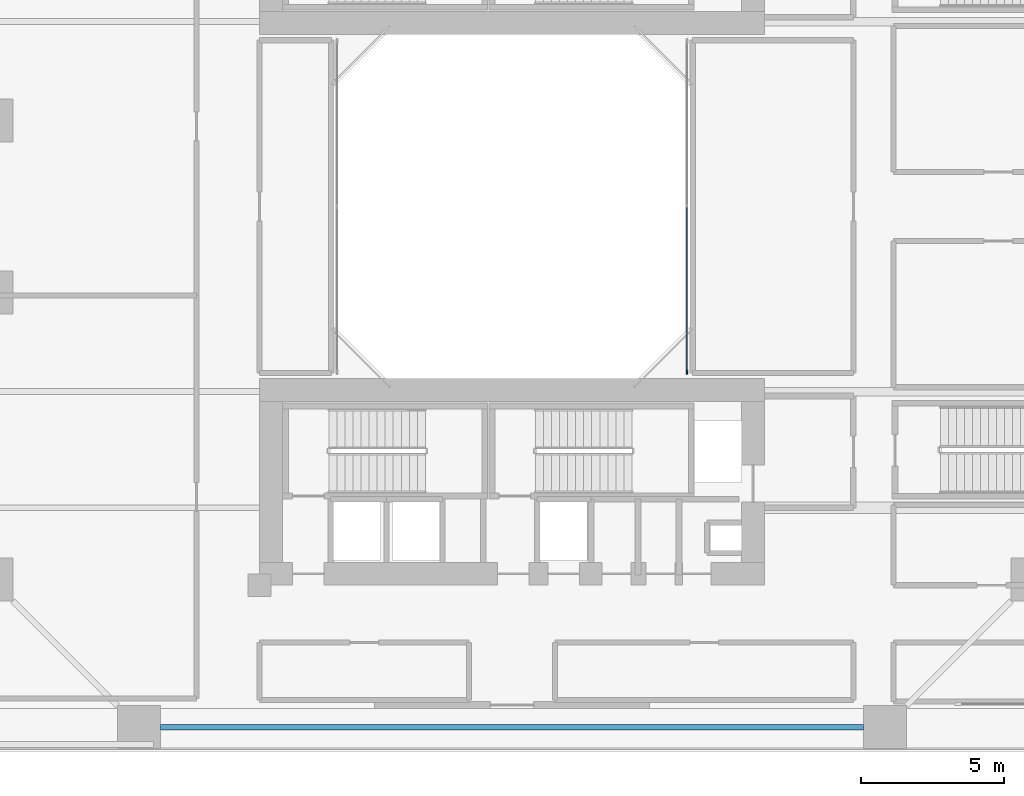
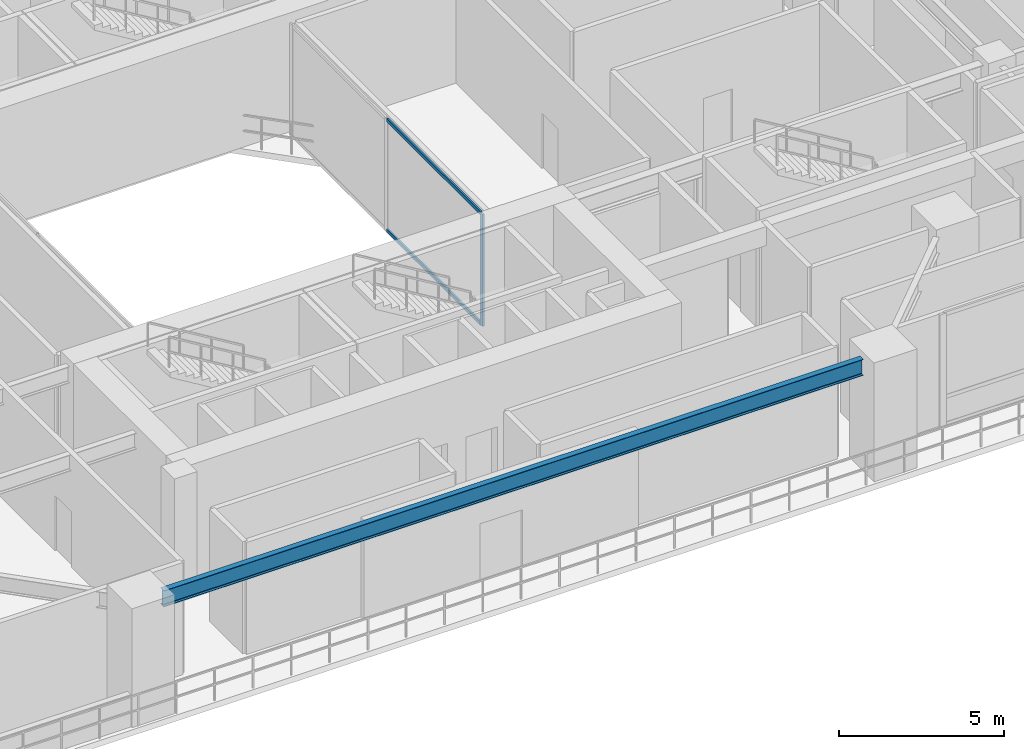
# One storey, part 3 of 20: 3 members, 1 beam, 1 element without a shape of its own.
"""IFC4 building model written with IfcOpenShell, lengths in metres."""

import ifcopenshell
import ifcopenshell.guid

model = None  # the IFC model being written
_history = None  # IfcOwnerHistory: only IFC2X3 demands one
_inside = {}  # id of a spatial element -> (the spatial element, [elements in it])
_under = {}  # id of a project, library or spatial element -> (it, [spatial elements below it])
_declared = {}  # id of a project -> (the project, [libraries it declares])
_typed = {}  # id of a type object -> (the type object, [elements of that type])
_made_of = {}  # id of a material, layer set ... -> (it, [elements and type objects made of it])


def new_model(schema):
    """Start an empty IFC model of exactly this schema.

    Asked for "IFC4X3", IfcOpenShell would pick the latest addendum, in which some entities
    have other attributes; the version numbers below select the first issue.
    IFC2X3 requires an IfcOwnerHistory on every rooted entity: one is made here for all.
    """
    global model, _history
    if schema == "IFC4X3":
        model = ifcopenshell.file(schema_version=(4, 3, 0, 0))
    else:
        model = ifcopenshell.file(schema=schema)
    _inside.clear()
    _under.clear()
    _declared.clear()
    _typed.clear()
    _made_of.clear()
    _history = None
    if model.schema == "IFC2X3":
        org = make("IfcOrganization", Name="unknown")
        user = make(
            "IfcPersonAndOrganization",
            ThePerson=make("IfcPerson", FamilyName="unknown"),
            TheOrganization=org,
        )
        app = make(
            "IfcApplication",
            ApplicationDeveloper=org,
            Version="unknown",
            ApplicationFullName="unknown",
            ApplicationIdentifier="unknown",
        )
        _history = make(
            "IfcOwnerHistory",
            OwningUser=user,
            OwningApplication=app,
            ChangeAction="ADDED",
            CreationDate=0,
        )
    return model


def make(cls, **values):
    """One entity of the class cls with the attributes given. An attribute that is None is left unset."""
    return model.create_entity(
        cls, **{name: value for name, value in values.items() if value is not None}
    )


def rooted(cls, **values):
    """An entity with a GlobalId (a new one), such as an element, a storey or a relation."""
    return make(cls, GlobalId=ifcopenshell.guid.new(), OwnerHistory=_history, **values)


def si_unit(unit_type, name, prefix=None):
    """IfcSIUnit, for example si_unit("LENGTHUNIT", "METRE", prefix="MILLI")."""
    return make("IfcSIUnit", UnitType=unit_type, Prefix=prefix, Name=name)


def assignment(units):
    """IfcUnitAssignment: the units of a project."""
    return None if units is None else make("IfcUnitAssignment", Units=units)


def point(xyz):
    """IfcCartesianPoint."""
    return None if xyz is None else make("IfcCartesianPoint", Coordinates=xyz)


def direction(xyz):
    """IfcDirection."""
    return None if xyz is None else make("IfcDirection", DirectionRatios=xyz)


def frame(location, z_axis=None, x_axis=None):
    """IfcAxis2Placement3D, a coordinate frame: its origin and axes. An axis left out is left unset."""
    return make(
        "IfcAxis2Placement3D",
        Location=point(location),
        Axis=direction(z_axis),
        RefDirection=direction(x_axis),
    )


def frame_2d(location, x_axis=None):
    """IfcAxis2Placement2D, a coordinate frame in the plane: its origin and x axis."""
    return make(
        "IfcAxis2Placement2D", Location=point(location), RefDirection=direction(x_axis)
    )


def origin():
    """The frame at (0, 0, 0) with its axes left unset."""
    return frame((0.0, 0.0, 0.0))


def origin_2d():
    """The frame at (0, 0) in the plane with its x axis left unset."""
    return frame_2d((0.0, 0.0))


def place(relative_to, where):
    """IfcLocalPlacement: puts the frame where relative to a parent placement (None: the world)."""
    return make(
        "IfcLocalPlacement", PlacementRelTo=relative_to, RelativePlacement=where
    )


def context(
    kind, dimensions, precision=None, world=None, true_north=None, identifier=None
):
    """IfcGeometricRepresentationContext, for example the 3D "Model" context."""
    return make(
        "IfcGeometricRepresentationContext",
        ContextIdentifier=identifier,
        ContextType=kind,
        CoordinateSpaceDimension=dimensions,
        Precision=precision,
        WorldCoordinateSystem=world,
        TrueNorth=true_north,
    )


def subcontext(parent, identifier, kind, view, scale=None):
    """IfcGeometricRepresentationSubContext, for example "Body" below "Model"."""
    return make(
        "IfcGeometricRepresentationSubContext",
        ContextIdentifier=identifier,
        ContextType=kind,
        ParentContext=parent,
        TargetScale=scale,
        TargetView=view,
    )


def project(units=None, contexts=None):
    """IfcProject with its units and contexts."""
    return rooted(
        "IfcProject",
        Name="project",
        RepresentationContexts=contexts,
        UnitsInContext=assignment(units),
    )


def spatial(cls, under=None, at=None, **own):
    """A site, building, storey or space (cls), placed at a placement, below another one or the project."""
    s = rooted(cls, ObjectPlacement=at, **own)
    if under is not None:
        _under.setdefault(under.id(), (under, []))[1].append(s)
    return s


def profile(cls, at=None, kind="AREA", **sizes):
    """A parametric profile (cls). Its sizes go by their IFC names, for example OverallWidth=200.0."""
    return make(cls, ProfileType=kind, Position=at, **sizes)


def rectangle(**sizes):
    """IfcRectangleProfileDef."""
    return profile("IfcRectangleProfileDef", **sizes)


def i_section(**sizes):
    """IfcIShapeProfileDef."""
    return profile("IfcIShapeProfileDef", **sizes)


def extrude(swept, where, along, depth):
    """IfcExtrudedAreaSolid: the profile swept, set in the frame where, extruded along a direction by depth."""
    return make(
        "IfcExtrudedAreaSolid",
        SweptArea=swept,
        Position=where,
        ExtrudedDirection=direction(along),
        Depth=depth,
    )


def shape(context_of_items, identifier, shape_type, items):
    """IfcShapeRepresentation: the items that make up one representation, for example the "Body"."""
    return make(
        "IfcShapeRepresentation",
        ContextOfItems=context_of_items,
        RepresentationIdentifier=identifier,
        RepresentationType=shape_type,
        Items=items,
    )


def source(mapping_origin, context_of_items, identifier, shape_type, items):
    """IfcRepresentationMap: a shape defined once, which mapped items show again and again."""
    return make(
        "IfcRepresentationMap",
        MappingOrigin=mapping_origin,
        MappedRepresentation=shape(context_of_items, identifier, shape_type, items),
    )


def transform(
    local_origin,
    x_axis=None,
    y_axis=None,
    z_axis=None,
    scale=None,
    scale2=None,
    scale3=None,
    uniform=True,
):
    """IfcCartesianTransformationOperator3D, or its non-uniform kind. x_axis, y_axis, z_axis: its Axis1, 2, 3."""
    if uniform:
        return make(
            "IfcCartesianTransformationOperator3D",
            Axis1=direction(x_axis),
            Axis2=direction(y_axis),
            LocalOrigin=point(local_origin),
            Scale=scale,
            Axis3=direction(z_axis),
        )
    return make(
        "IfcCartesianTransformationOperator3DnonUniform",
        Axis1=direction(x_axis),
        Axis2=direction(y_axis),
        LocalOrigin=point(local_origin),
        Scale=scale,
        Axis3=direction(z_axis),
        Scale2=scale2,
        Scale3=scale3,
    )


def mapped(mapping_source, mapping_target):
    """IfcMappedItem: shows the shape of a source again, moved by a transform."""
    return make(
        "IfcMappedItem", MappingSource=mapping_source, MappingTarget=mapping_target
    )


def material(Name=None, Category=None):
    """IfcMaterial."""
    return make("IfcMaterial", Name=Name, Category=Category)


def layer(
    of_material, thickness, ventilated=None, Name=None, Category=None, Priority=None
):
    """IfcMaterialLayer: one layer of a wall or slab, of a material (None: an air gap)."""
    return make(
        "IfcMaterialLayer",
        Material=of_material,
        LayerThickness=thickness,
        IsVentilated=ventilated,
        Name=Name,
        Category=Category,
        Priority=Priority,
    )


def layer_set(layers, Name=None):
    """IfcMaterialLayerSet."""
    return make("IfcMaterialLayerSet", MaterialLayers=layers, LayerSetName=Name)


def material_profile(
    of_material, cross_section, Name=None, Category=None, Priority=None
):
    """IfcMaterialProfile: a cross section and its material."""
    return make(
        "IfcMaterialProfile",
        Name=Name,
        Material=of_material,
        Profile=cross_section,
        Priority=Priority,
        Category=Category,
    )


def profile_set(profiles, Name=None, composite=None):
    """IfcMaterialProfileSet."""
    return make(
        "IfcMaterialProfileSet",
        Name=Name,
        MaterialProfiles=profiles,
        CompositeProfile=composite,
    )


def made_of(thing, what):
    """Note that an element or type object is made of a material, layer set ...; save() writes the relation."""
    if what is not None:
        _made_of.setdefault(what.id(), (what, []))[1].append(thing)
    return thing


def type_object(cls, material=None, **own):
    """A type object (cls), such as IfcWallType, which elements share."""
    return made_of(rooted(cls, **own), material)


def element(
    cls,
    number,
    at=None,
    inside=None,
    cuts=None,
    type_object=None,
    material=None,
    context=None,
    identifier="Body",
    shape_type=None,
    held_by="IfcProductDefinitionShape",
    body=None,
    shapes=None,
    **own,
):
    """One element of the class cls, such as IfcWall. Its Tag is "e" and its number.

    at: its placement. inside: the storey or other place that contains it. cuts: it is an
    opening in that element (IfcRelVoidsElement). A single representation is given by context,
    identifier, shape_type and body (its items); several are given by shapes. held_by: the class
    of the entity that holds the representations. save() writes the other relations.
    """
    e = rooted(cls, Tag="e%d" % number, ObjectPlacement=at, **own)
    if body is not None:
        shapes = [shape(context, identifier, shape_type, body)]
    if shapes is not None:
        e.Representation = make(held_by, Representations=shapes)
    if inside is not None:
        _inside.setdefault(inside.id(), (inside, []))[1].append(e)
    if cuts is not None:
        rooted(
            "IfcRelVoidsElement", RelatingBuildingElement=cuts, RelatedOpeningElement=e
        )
    if type_object is not None:
        _typed.setdefault(type_object.id(), (type_object, []))[1].append(e)
    return made_of(e, material)


def aggregate(whole, parts):
    """IfcRelAggregates: a whole, such as a stair, and the parts it consists of."""
    return rooted("IfcRelAggregates", RelatingObject=whole, RelatedObjects=parts)


def save(model, path):
    """Write the relations noted so far, then the file.

    IfcRelAggregates (storeys below a building ...), IfcRelContainedInSpatialStructure (elements
    in a storey), IfcRelDefinesByType, IfcRelAssociatesMaterial and IfcRelDeclares: one each for
    every whole, place, type object, material and project.
    """
    for whole, parts in _under.values():
        aggregate(whole, parts)
    for where, things in _inside.values():
        rooted(
            "IfcRelContainedInSpatialStructure",
            RelatedElements=things,
            RelatingStructure=where,
        )
    for kind, things in _typed.values():
        rooted("IfcRelDefinesByType", RelatedObjects=things, RelatingType=kind)
    for what, things in _made_of.values():
        rooted("IfcRelAssociatesMaterial", RelatedObjects=things, RelatingMaterial=what)
    for by, libraries in _declared.values():
        rooted("IfcRelDeclares", RelatingContext=by, RelatedDefinitions=libraries)
    model.write(path)


model = new_model("IFC4")

# Units and contexts
model_context = context("Model", 3, precision=1e-05, world=origin(), true_north=direction((0.0, 1.0)))
body_context = subcontext(model_context, "Body", "Model", "MODEL_VIEW")
ifc_project = project(units=[si_unit("LENGTHUNIT", "METRE"), si_unit("AREAUNIT", "SQUARE_METRE"), si_unit("VOLUMEUNIT", "CUBIC_METRE"), si_unit("PLANEANGLEUNIT", "RADIAN"), si_unit("MASSUNIT", "GRAM", prefix="KILO"), si_unit("THERMODYNAMICTEMPERATUREUNIT", "KELVIN"), si_unit("POWERUNIT", "WATT")], contexts=[model_context])

# Site, building, storey
site_placement = place(None, origin())
site = spatial("IfcSite", under=ifc_project, at=site_placement, CompositionType="ELEMENT")
building_placement = place(site_placement, origin())
building = spatial("IfcBuilding", under=site, at=building_placement, Name="Qiaomeng Ring Towers", CompositionType="ELEMENT")
storey_placement = place(building_placement, frame((0.0, 0.0, 13.800048828125)))
storey = spatial("IfcBuildingStorey", under=building, at=storey_placement, Name="L03", CompositionType="ELEMENT", Elevation=13.800048828125)

# Beam
ifc_material_1 = material(Name="Steel Q355B", Category="steel")
ifc_material_profile_1 = material_profile(ifc_material_1, i_section(OverallWidth=0.199951171875, OverallDepth=0.60009765625, WebThickness=0.010986328125, FlangeThickness=0.01708984375, FilletRadius=0.02197265625, at=origin_2d()), Name="HN 600x200x11x17")
ifc_profile_set_1 = profile_set([ifc_material_profile_1], Name="Steel Q355B")
beam_type = type_object("IfcBeamType", Name="STR-BM-HN600", PredefinedType="BEAM", material=ifc_profile_set_1)
shared_shape_1 = source(origin(), body_context, "Body", "SweptSolid", [
    extrude(i_section(OverallWidth=0.199951171875, OverallDepth=0.60009765625, WebThickness=0.010986328125, FlangeThickness=0.01708984375, FilletRadius=0.02197265625, at=origin_2d()), origin(), (0.0, 0.0, 1.0), 24.501953125),
])
beam_placement = place(storey_placement, frame((6.7490234375, 4.85009765625, 3.849853515625), z_axis=(1.0, 0.0, 0.0), x_axis=(0.0, 1.0, 0.0)))
element("IfcBeam", 1, at=beam_placement, inside=storey, type_object=beam_type, Name="L03 beam STR-SP-L03-T1-1", PredefinedType="BEAM", context=body_context, shape_type="MappedRepresentation", body=[
    mapped(shared_shape_1, transform((0.0, 0.0, 0.0), x_axis=(1.0, 0.0, 0.0), y_axis=(0.0, 1.0, 0.0), z_axis=(0.0, 0.0, 1.0), scale=1.0)),
])

# Curtain wall, members
ifc_material_2 = material(Name="Fluorocarbon dark-grey aluminium", Category="aluminium")
ifc_layer = layer(ifc_material_2, 0.139892578125, Name="Fluorocarbon dark-grey aluminium")
ifc_layer_set = layer_set([ifc_layer], Name="Fluorocarbon dark-grey aluminium")
curtain_wall_type = type_object("IfcCurtainWallType", Name="ARC-CW-4", PredefinedType="NOTDEFINED", material=ifc_layer_set)
curtain_wall_placement = place(storey_placement, origin())
curtain_wall = element("IfcCurtainWall", 2, at=curtain_wall_placement, inside=storey, type_object=curtain_wall_type, Name="L03 Curtain Wall CW4", PredefinedType="NOTDEFINED")
ifc_material_profile_2 = material_profile(ifc_material_2, rectangle(XDim=0.06494140625, YDim=0.1298828125, at=origin_2d()), Name="ALU TRAN 65x130")
ifc_profile_set_2 = profile_set([ifc_material_profile_2], Name="Fluorocarbon dark-grey aluminium")
member_type_1 = type_object("IfcMemberType", Name="ARC-CWT-120", PredefinedType="USERDEFINED", material=ifc_profile_set_2)
shared_shape_2 = source(origin(), body_context, "Body", "SweptSolid", [
    extrude(rectangle(XDim=0.06494140625, YDim=0.1298828125, at=origin_2d()), origin(), (0.0, 0.0, 1.0), 5.70263671875),
])
member_1_placement = place(storey_placement, frame((25.10009765625, 17.264892578125, 0.032470703125), z_axis=(0.0, 1.0, 0.0), x_axis=(-1.0, 0.0, 0.0)))
member_1 = element("IfcMember", 3, at=member_1_placement, type_object=member_type_1, Name="CW4 transom 1.1", ObjectType="TRANSOM", PredefinedType="USERDEFINED", context=body_context, shape_type="MappedRepresentation", body=[
    mapped(shared_shape_2, transform((0.0, 0.0, 0.0), x_axis=(1.0, 0.0, 0.0), y_axis=(0.0, 1.0, 0.0), z_axis=(0.0, 0.0, 1.0), scale=1.0)),
])
member_2_placement = place(storey_placement, frame((25.10009765625, 17.264892578125, 4.117431640625), z_axis=(0.0, 1.0, 0.0), x_axis=(-1.0, 0.0, 0.0)))
member_2 = element("IfcMember", 4, at=member_2_placement, type_object=member_type_1, Name="CW4 transom 1.2", ObjectType="TRANSOM", PredefinedType="USERDEFINED", context=body_context, shape_type="MappedRepresentation", body=[
    mapped(shared_shape_2, transform((0.0, 0.0, 0.0), x_axis=(1.0, 0.0, 0.0), y_axis=(0.0, 1.0, 0.0), z_axis=(0.0, 0.0, 1.0), scale=1.0)),
])
ifc_material_profile_3 = material_profile(ifc_material_2, rectangle(XDim=0.06494140625, YDim=0.159912109375, at=origin_2d()), Name="ALU MULL 65x160")
ifc_profile_set_3 = profile_set([ifc_material_profile_3], Name="Fluorocarbon dark-grey aluminium")
member_type_2 = type_object("IfcMemberType", Name="ARC-CWM-140", PredefinedType="MULLION", material=ifc_profile_set_3)
shared_shape_3 = source(origin(), body_context, "Body", "SweptSolid", [
    extrude(rectangle(XDim=0.06494140625, YDim=0.159912109375, at=origin_2d()), origin(), (0.0, 0.0, 1.0), 4.14990234375),
])
member_3_placement = place(storey_placement, frame((25.10009765625, 17.232421875, 0.0), z_axis=(0.0, 0.0, 1.0), x_axis=(-1.0, 0.0, 0.0)))
member_3 = element("IfcMember", 5, at=member_3_placement, type_object=member_type_2, Name="CW4 mullion 1", PredefinedType="MULLION", context=body_context, shape_type="MappedRepresentation", body=[
    mapped(shared_shape_3, transform((0.0, 0.0, 0.0), x_axis=(1.0, 0.0, 0.0), y_axis=(0.0, 1.0, 0.0), z_axis=(0.0, 0.0, 1.0), scale=1.0)),
])
aggregate(curtain_wall, [member_3, member_1, member_2])

save(model, "model.ifc")
